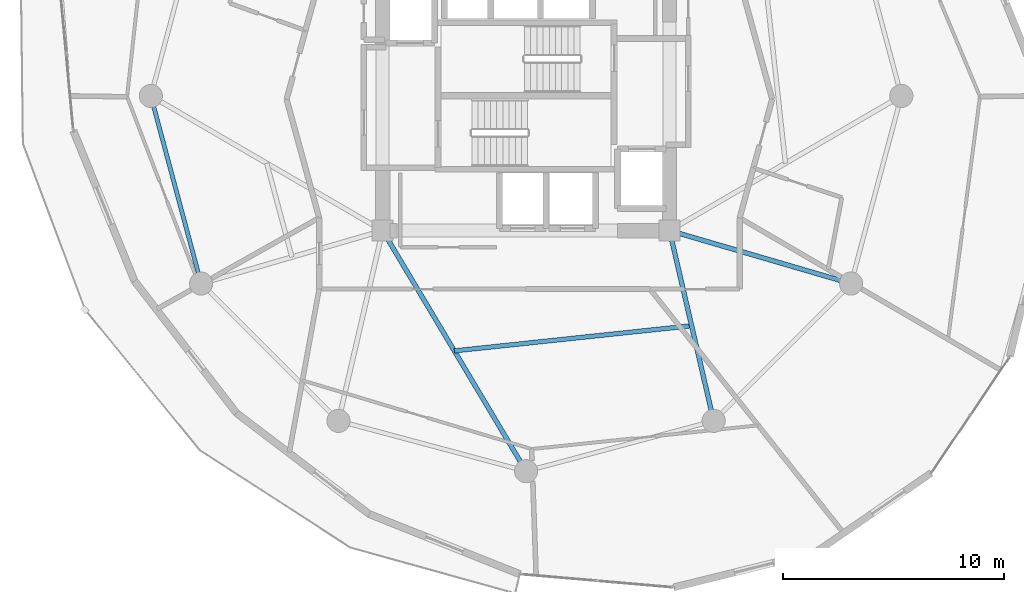
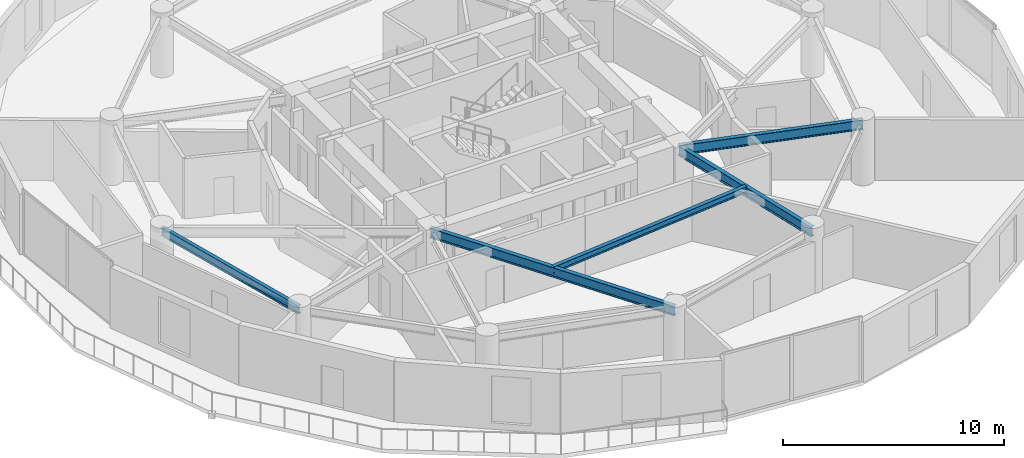
# One storey, part 4 of 22: 5 beams.
"""IFC4 building model written with IfcOpenShell, lengths in metres."""

from ifc_helpers import new_model, si_unit, direction, frame, origin, origin_2d, place, context, subcontext, project, spatial, i_section, extrude, material, material_profile, profile_set, type_object, element, save


model = new_model("IFC4")

# Units and contexts
model_context = context("Model", 3, precision=1e-05, world=origin(), true_north=direction((0.0, 1.0)))
body_context = subcontext(model_context, "Body", "Model", "MODEL_VIEW")
ifc_project = project(units=[si_unit("LENGTHUNIT", "METRE"), si_unit("AREAUNIT", "SQUARE_METRE"), si_unit("VOLUMEUNIT", "CUBIC_METRE"), si_unit("PLANEANGLEUNIT", "RADIAN"), si_unit("MASSUNIT", "GRAM", prefix="KILO")], contexts=[model_context])

# Site, building, storey
site_placement = place(None, origin())
site = spatial("IfcSite", under=ifc_project, at=site_placement, CompositionType="ELEMENT")
building_placement = place(site_placement, origin())
building = spatial("IfcBuilding", under=site, at=building_placement, Name="Solvirekh Grand Hotel", CompositionType="ELEMENT")
storey_placement = place(building_placement, frame((0.0, 0.0, 145.800048828125)))
storey = spatial("IfcBuildingStorey", under=building, at=storey_placement, Name="L37", CompositionType="ELEMENT", Elevation=145.800048828125)

# Beams
ifc_material = material(Name="Steel S355", Category="steel")
ifc_material_profile_1 = material_profile(ifc_material, i_section(OverallWidth=0.2119140625, OverallDepth=0.5439453125, WebThickness=0.011962890625, FlangeThickness=0.01904296875, FilletRadius=0.013916015625, at=origin_2d()), Name="W530X123")
ifc_profile_set_1 = profile_set([ifc_material_profile_1], Name="Steel S355")
beam_type_1 = type_object("IfcBeamType", Name="Beam_Radial_W530H", PredefinedType="BEAM", material=ifc_profile_set_1)
beam_1_placement = place(storey_placement, frame((-6.5, -6.10009765625, 3.077880859375), z_axis=(0.512179721377, -0.858878299301, 0.0), x_axis=(0.858878299301, 0.512179721377, 0.0)))
element("IfcBeam", 1, at=beam_1_placement, inside=storey, type_object=beam_type_1, Name="L37 radial floor beam R10", PredefinedType="BEAM", context=body_context, shape_type="SweptSolid", body=[
    extrude(i_section(OverallWidth=0.2119140625, OverallDepth=0.5439453125, WebThickness=0.011962890625, FlangeThickness=0.01904296875, FilletRadius=0.013916015625, at=origin_2d()), origin(), (0.0, 0.0, 1.0), 12.69091796875),
])
beam_2_placement = place(storey_placement, frame((6.5, -6.10009765625, 3.077880859375), z_axis=(0.225969390542, -0.974134402707, 0.0), x_axis=(0.974134402707, 0.225969390542, 0.0)))
element("IfcBeam", 2, at=beam_2_placement, inside=storey, type_object=beam_type_1, Name="L37 radial floor beam R11", PredefinedType="BEAM", context=body_context, shape_type="SweptSolid", body=[
    extrude(i_section(OverallWidth=0.2119140625, OverallDepth=0.5439453125, WebThickness=0.011962890625, FlangeThickness=0.01904296875, FilletRadius=0.013916015625, at=origin_2d()), origin(), (0.0, 0.0, 1.0), 8.850830078125),
])
beam_3_placement = place(storey_placement, frame((6.5, -6.10009765625, 3.077880859375), z_axis=(0.959942195467, -0.28019811092, 0.0), x_axis=(0.28019811092, 0.959942195467, 0.0)))
element("IfcBeam", 3, at=beam_3_placement, inside=storey, type_object=beam_type_1, Name="L37 radial floor beam R12", PredefinedType="BEAM", context=body_context, shape_type="SweptSolid", body=[
    extrude(i_section(OverallWidth=0.2119140625, OverallDepth=0.5439453125, WebThickness=0.011962890625, FlangeThickness=0.01904296875, FilletRadius=0.013916015625, at=origin_2d()), origin(), (0.0, 0.0, 1.0), 8.56494140625),
])
ifc_material_profile_2 = material_profile(ifc_material, i_section(OverallWidth=0.2041015625, OverallDepth=0.35009765625, WebThickness=0.009033203125, FlangeThickness=0.014892578125, FilletRadius=0.010986328125, at=origin_2d()), Name="W360X72")
ifc_profile_set_2 = profile_set([ifc_material_profile_2], Name="Steel S355")
beam_type_2 = type_object("IfcBeamType", Name="Joist_Floor_W360", PredefinedType="JOIST", material=ifc_profile_set_2)
beam_4_placement = place(storey_placement, frame((-3.25, -11.550048828125, 3.175048828125), z_axis=(0.994432198761, 0.105378375714, 0.0), x_axis=(-0.105378375714, 0.994432198761, 0.0)))
element("IfcBeam", 4, at=beam_4_placement, inside=storey, type_object=beam_type_2, Name="L37 secondary composite floor joist 10", PredefinedType="JOIST", context=body_context, shape_type="SweptSolid", body=[
    extrude(i_section(OverallWidth=0.2041015625, OverallDepth=0.35009765625, WebThickness=0.009033203125, FlangeThickness=0.014892578125, FilletRadius=0.010986328125, at=origin_2d()), origin(), (0.0, 0.0, 1.0), 10.810302734375),
])
ifc_material_profile_3 = material_profile(ifc_material, i_section(OverallWidth=0.18994140625, OverallDepth=0.45703125, WebThickness=0.009033203125, FlangeThickness=0.013916015625, FilletRadius=0.012939453125, at=origin_2d()), Name="W460X74")
ifc_profile_set_3 = profile_set([ifc_material_profile_3], Name="Steel S355")
beam_type_3 = type_object("IfcBeamType", Name="Spandrel_Ring_W460", PredefinedType="SPANDREL", material=ifc_profile_set_3)
beam_5_placement = place(storey_placement, frame((-17.0, 0.0, 3.1220703125), z_axis=(0.258872908946, -0.965911391906, 0.0), x_axis=(0.965911391906, 0.258872908946, 0.0)))
element("IfcBeam", 5, at=beam_5_placement, inside=storey, type_object=beam_type_3, Name="L37 perimeter spandrel beam 7", PredefinedType="SPANDREL", context=body_context, shape_type="SweptSolid", body=[
    extrude(i_section(OverallWidth=0.18994140625, OverallDepth=0.45703125, WebThickness=0.009033203125, FlangeThickness=0.013916015625, FilletRadius=0.012939453125, at=origin_2d()), origin(), (0.0, 0.0, 1.0), 8.800048828125),
])

save(model, "model.ifc")
